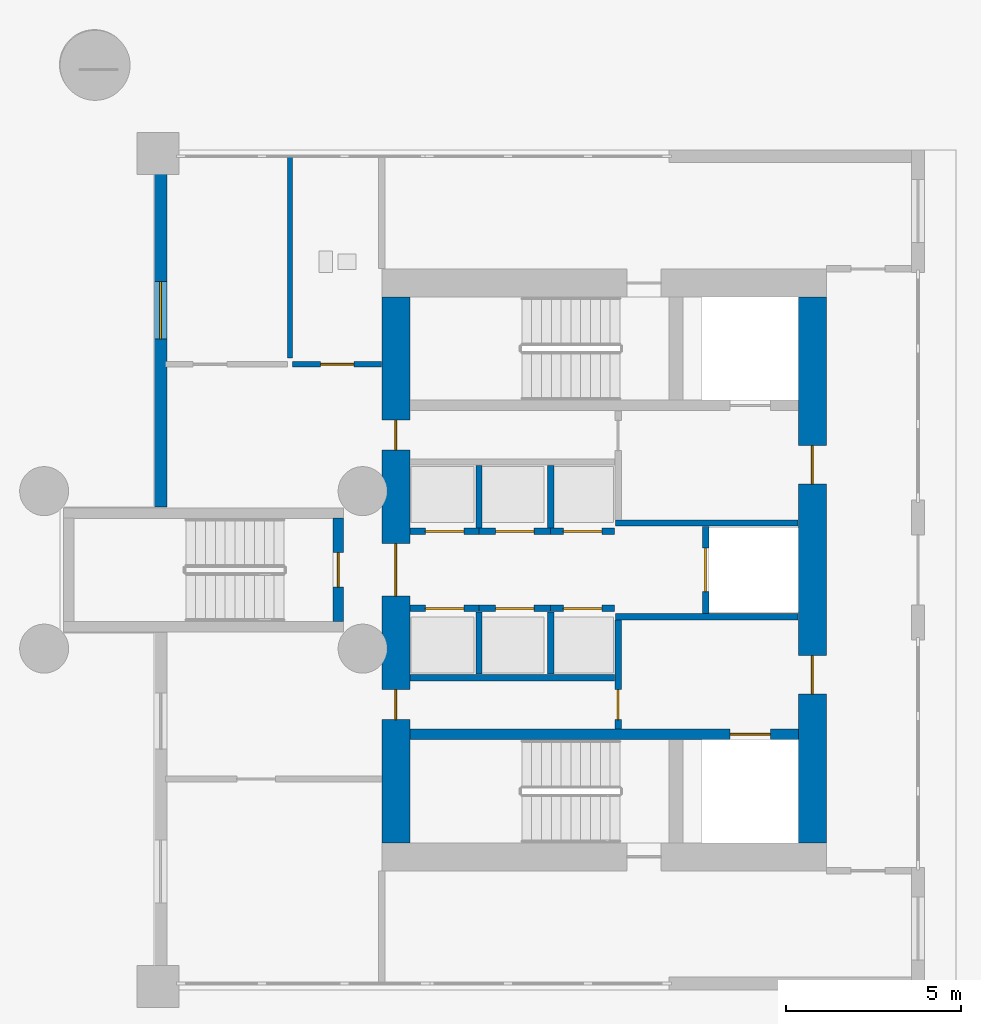
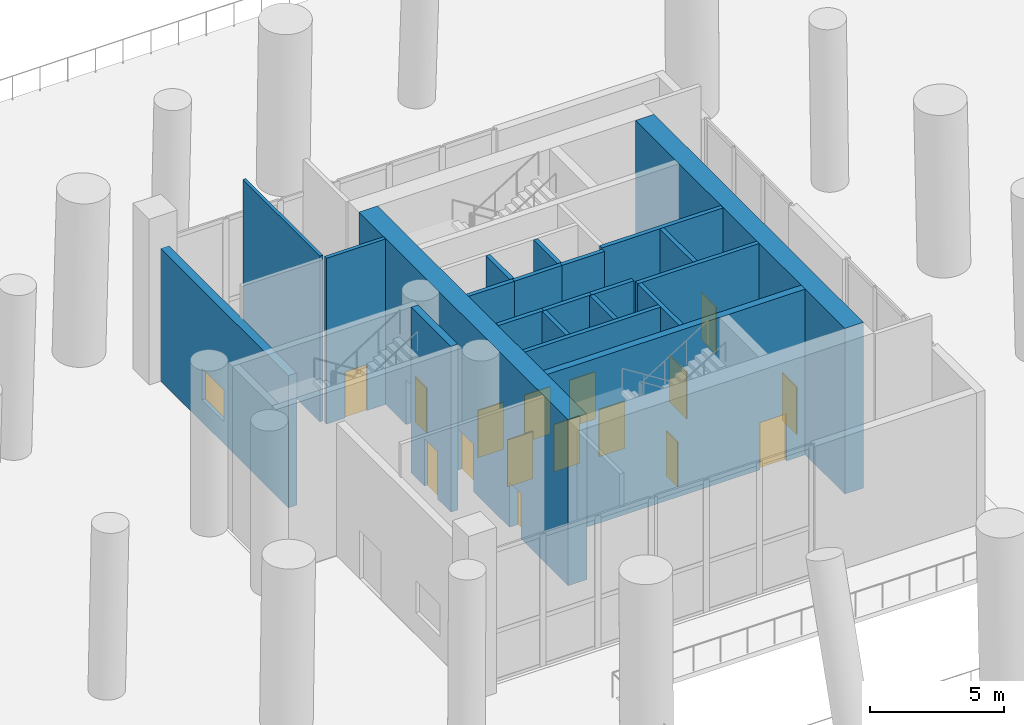
# One storey, part 8 of 16: 22 walls, 16 doors, 1 window, 17 openings.
"""IFC4 building model written with IfcOpenShell, lengths in metres."""

from ifc_helpers import new_model, si_unit, direction, frame, frame_2d, origin, place, context, subcontext, project, spatial, rectangle, extrude, source, transform, mapped, material, layer, layer_set, type_object, element, fill, save


model = new_model("IFC4")

# Units and contexts
model_context = context("Model", 3, precision=1e-05, world=origin(), true_north=direction((0.0, 1.0)))
body_context = subcontext(model_context, "Body", "Model", "MODEL_VIEW")
ifc_project = project(units=[si_unit("LENGTHUNIT", "METRE"), si_unit("AREAUNIT", "SQUARE_METRE"), si_unit("VOLUMEUNIT", "CUBIC_METRE"), si_unit("PLANEANGLEUNIT", "RADIAN"), si_unit("MASSUNIT", "GRAM", prefix="KILO")], contexts=[model_context])

# Site, building, storey
site_placement = place(None, origin())
site = spatial("IfcSite", under=ifc_project, at=site_placement, CompositionType="ELEMENT")
building_placement = place(site_placement, origin())
building = spatial("IfcBuilding", under=site, at=building_placement, Name="Qafzar Sky-Pleat Residences", CompositionType="ELEMENT")
storey_placement = place(building_placement, origin())
storey = spatial("IfcBuildingStorey", under=building, at=storey_placement, Name="L00", CompositionType="ELEMENT", Elevation=0.0)

# Wall, opening, door
ifc_material_1 = material(Name="Acoustic gypsum plasterboard partition", Category="gypsum")
ifc_layer_1 = layer(ifc_material_1, 0.159912109375)
ifc_layer_set_1 = layer_set([ifc_layer_1], Name="Acoustic gypsum plasterboard partition")
wall_type_1 = type_object("IfcWallType", Name="PART-COR-160", PredefinedType="PARTITIONING", material=ifc_layer_set_1)
wall_1_placement = place(storey_placement, frame((21.449951171875, 31.875, 0.0), z_axis=(0.0, 0.0, 1.0), x_axis=(1.0, 0.0, 0.0)))
wall_1 = element("IfcWall", 1, at=wall_1_placement, inside=storey, type_object=wall_type_1, Name="L00 Partition Wall PART-L00-PW-007", PredefinedType="PARTITIONING", context=body_context, shape_type="SweptSolid", body=[
    extrude(rectangle(XDim=2.5419921875, YDim=0.159912109375, at=frame_2d((1.27099609375, 0.0))), origin(), (0.0, 0.0, 1.0), 7.5400390625),
])
opening_1_placement = place(wall_1_placement, frame((0.800048828125, 0.0, 0.0)))
opening_1 = element("IfcOpeningElement", 2, at=opening_1_placement, cuts=wall_1, Name="Opening ID-08", PredefinedType="OPENING", context=body_context, shape_type="SweptSolid", body=[
    extrude(rectangle(XDim=0.949951171875, YDim=2.10009765625, at=frame_2d((0.47509765625, 1.050048828125))), frame((0.0, 0.08984375, 0.0), z_axis=(0.0, -1.0, 0.0), x_axis=(1.0, 0.0, 0.0)), (0.0, 0.0, 1.0), 0.179931640625),
])
ifc_material_2 = material(Name="Timber-faced fire door", Category="wood")
door_type_1 = type_object("IfcDoorType", Name="DR-AWC-950", OperationType="NOTDEFINED", PredefinedType="DOOR", material=ifc_material_2)
shared_shape_1 = source(origin(), body_context, "Body", "SweptSolid", [
    extrude(rectangle(XDim=0.949951171875, YDim=2.10009765625, at=frame_2d((0.47509765625, 1.050048828125))), frame((0.0, 0.02490234375, 0.0), z_axis=(0.0, -1.0, 0.0), x_axis=(1.0, 0.0, 0.0)), (0.0, 0.0, 1.0), 0.050048828125),
])
door_1_placement = place(opening_1_placement, origin())
door_1 = element("IfcDoor", 3, at=door_1_placement, inside=storey, type_object=door_type_1, Name="L00 Ground Accessible WC Door", OperationType="SINGLE_SWING_LEFT", OverallHeight=2.10009765625, OverallWidth=0.949951171875, PredefinedType="DOOR", context=body_context, shape_type="MappedRepresentation", body=[
    mapped(shared_shape_1, transform((0.0, 0.0, 0.0), x_axis=(1.0, 0.0, 0.0), y_axis=(0.0, 1.0, 0.0), z_axis=(0.0, 0.0, 1.0), scale=1.0)),
])
fill(opening_1, door_1)

ifc_material_3 = material(Name="Concrete blockwork partition", Category="masonry")
ifc_layer_2 = layer(ifc_material_3, 0.179931640625)
ifc_layer_set_2 = layer_set([ifc_layer_2], Name="Concrete blockwork partition")
wall_type_2 = type_object("IfcWallType", Name="PART-SHAFT-180", PredefinedType="PARTITIONING", material=ifc_layer_set_2)
wall_2_placement = place(storey_placement, frame((30.75, 21.4599609375, 0.0), z_axis=(0.0, 0.0, 1.0), x_axis=(0.0, 1.0, 0.0)))
wall_2 = element("IfcWall", 4, at=wall_2_placement, inside=storey, type_object=wall_type_2, Name="L00 Partition Wall PART-L00-FFL1-W", PredefinedType="PARTITIONING", context=body_context, shape_type="SweptSolid", body=[
    extrude(rectangle(XDim=3.110107421875, YDim=0.179931640625, at=frame_2d((1.55517578125, 0.0))), origin(), (0.0, 0.0, 1.0), 7.5400390625),
])
opening_2_placement = place(wall_2_placement, frame((0.260009765625, 0.0, 0.0)))
opening_2 = element("IfcOpeningElement", 5, at=opening_2_placement, cuts=wall_2, Name="Opening ID-09", PredefinedType="OPENING", context=body_context, shape_type="SweptSolid", body=[
    extrude(rectangle(XDim=0.860107421875, YDim=2.050048828125, at=frame_2d((0.43017578125, 1.02490234375))), frame((0.0, 0.10009765625, 0.0), z_axis=(0.0, -1.0, 0.0), x_axis=(1.0, 0.0, 0.0)), (0.0, 0.0, 1.0), 0.199951171875),
])
door_type_2 = type_object("IfcDoorType", Name="DR-SVC-860", OperationType="NOTDEFINED", PredefinedType="DOOR", material=ifc_material_2)
shared_shape_2 = source(origin(), body_context, "Body", "SweptSolid", [
    extrude(rectangle(XDim=0.860107421875, YDim=2.050048828125, at=frame_2d((0.43017578125, 1.02490234375))), frame((0.0, 0.02490234375, 0.0), z_axis=(0.0, -1.0, 0.0), x_axis=(1.0, 0.0, 0.0)), (0.0, 0.0, 1.0), 0.050048828125),
])
door_2_placement = place(opening_2_placement, origin())
door_2 = element("IfcDoor", 6, at=door_2_placement, inside=storey, type_object=door_type_2, Name="L00 South Core Cupboard Door", OperationType="SINGLE_SWING_LEFT", OverallHeight=2.050048828125, OverallWidth=0.860107421875, PredefinedType="DOOR", context=body_context, shape_type="MappedRepresentation", body=[
    mapped(shared_shape_2, transform((0.0, 0.0, 0.0), x_axis=(1.0, 0.0, 0.0), y_axis=(0.0, 1.0, 0.0), z_axis=(0.0, 0.0, 1.0), scale=1.0)),
])
fill(opening_2, door_2)

# Walls
for number, where, z_axis, x_axis, name in (
    (7, (30.669921875, 24.659912109375, 0.0), (0.0, 0.0, 1.0), (1.0, 0.0, 0.0), "L00 Partition Wall PART-L00-FFL1-N"),
    (8, (30.669921875, 27.340087890625, 0.0), (0.0, 0.0, 1.0), (1.0, 0.0, 0.0), "L00 Partition Wall PART-L00-FFL2-S"),
):
    element("IfcWall", number, at=place(storey_placement, frame(where, z_axis=z_axis, x_axis=x_axis)), inside=storey, type_object=wall_type_2, Name=name, PredefinedType="PARTITIONING", context=body_context, shape_type="SweptSolid", body=[
        extrude(rectangle(XDim=5.219970703125, YDim=0.179931640625, at=frame_2d((2.60986328125, 0.0))), origin(), (0.0, 0.0, 1.0), 7.5400390625),
    ])

# Wall, opening, door
wall_3_placement = place(storey_placement, frame((33.25, 24.760009765625, 0.0), z_axis=(0.0, 0.0, 1.0), x_axis=(0.0, 1.0, 0.0)))
wall_3 = element("IfcWall", 9, at=wall_3_placement, inside=storey, type_object=wall_type_2, Name="L00 Partition Wall PART-L00-SV1-W", PredefinedType="PARTITIONING", context=body_context, shape_type="SweptSolid", body=[
    extrude(rectangle(XDim=2.47998046875, YDim=0.179931640625, at=frame_2d((1.239990234375, 0.0))), origin(), (0.0, 0.0, 1.0), 7.5400390625),
])
opening_3_placement = place(wall_3_placement, frame((0.614990234375, 0.0, 0.0)))
opening_3 = element("IfcOpeningElement", 10, at=opening_3_placement, cuts=wall_3, Name="Opening LD-03", PredefinedType="OPENING", context=body_context, shape_type="SweptSolid", body=[
    extrude(rectangle(XDim=1.25, YDim=2.14990234375, at=frame_2d((0.625, 1.074951171875))), frame((0.0, 0.10009765625, 0.0), z_axis=(0.0, -1.0, 0.0), x_axis=(1.0, 0.0, 0.0)), (0.0, 0.0, 1.0), 0.199951171875),
])
ifc_material_4 = material(Name="Stainless steel sliding landing door", Category="steel")
door_type_3 = type_object("IfcDoorType", Name="DR-LIFT-SV", OperationType="DOUBLE_DOOR_SLIDING", PredefinedType="DOOR", material=ifc_material_4)
shared_shape_3 = source(origin(), body_context, "Body", "SweptSolid", [
    extrude(rectangle(XDim=1.25, YDim=2.14990234375, at=frame_2d((0.625, 1.074951171875))), frame((0.0, 0.02490234375, 0.0), z_axis=(0.0, -1.0, 0.0), x_axis=(1.0, 0.0, 0.0)), (0.0, 0.0, 1.0), 0.050048828125),
])
door_3_placement = place(opening_3_placement, origin())
door_3 = element("IfcDoor", 11, at=door_3_placement, inside=storey, type_object=door_type_3, Name="L00 Service Lift SV1 Landing Door", OperationType="DOUBLE_DOOR_SLIDING", OverallHeight=2.14990234375, OverallWidth=1.25, PredefinedType="DOOR", context=body_context, shape_type="MappedRepresentation", body=[
    mapped(shared_shape_3, transform((0.0, 0.0, 0.0), x_axis=(1.0, 0.0, 0.0), y_axis=(0.0, 1.0, 0.0), z_axis=(0.0, 0.0, 1.0), scale=1.0)),
])
fill(opening_3, door_3)

# Wall
wall_4_placement = place(storey_placement, frame((24.81005859375, 22.919921875, 0.0), z_axis=(0.0, 0.0, 1.0), x_axis=(1.0, 0.0, 0.0)))
element("IfcWall", 12, at=wall_4_placement, inside=storey, type_object=wall_type_2, Name="L00 Partition Wall PART-L00-P13-S", PredefinedType="PARTITIONING", context=body_context, shape_type="SweptSolid", body=[
    extrude(rectangle(XDim=5.83984375, YDim=0.179931640625, at=frame_2d((2.919921875, 0.0))), origin(), (0.0, 0.0, 1.0), 7.5400390625),
])

# Wall, opening, door
wall_5_placement = place(storey_placement, frame((24.81005859375, 24.89990234375, 0.0), z_axis=(0.0, 0.0, 1.0), x_axis=(1.0, 0.0, 0.0)))
wall_5 = element("IfcWall", 13, at=wall_5_placement, inside=storey, type_object=wall_type_2, Name="L00 Partition Wall PART-L00-P1-N", PredefinedType="PARTITIONING", context=body_context, shape_type="SweptSolid", body=[
    extrude(rectangle(XDim=1.96484375, YDim=0.179931640625, at=frame_2d((0.982421875, 0.0))), origin(), (0.0, 0.0, 1.0), 7.5400390625),
])
opening_4_placement = place(wall_5_placement, frame((0.4326171875, 0.0, 0.0)))
opening_4 = element("IfcOpeningElement", 14, at=opening_4_placement, cuts=wall_5, Name="Opening LD-01", PredefinedType="OPENING", context=body_context, shape_type="SweptSolid", body=[
    extrude(rectangle(XDim=1.10009765625, YDim=2.14990234375, at=frame_2d((0.550048828125, 1.074951171875))), frame((0.0, 0.10009765625, 0.0), z_axis=(0.0, -1.0, 0.0), x_axis=(1.0, 0.0, 0.0)), (0.0, 0.0, 1.0), 0.199951171875),
])
door_type_4 = type_object("IfcDoorType", Name="DR-LIFT-P", OperationType="DOUBLE_DOOR_SLIDING", PredefinedType="DOOR", material=ifc_material_4)
shared_shape_4 = source(origin(), body_context, "Body", "SweptSolid", [
    extrude(rectangle(XDim=1.10009765625, YDim=2.14990234375, at=frame_2d((0.550048828125, 1.074951171875))), frame((0.0, 0.02490234375, 0.0), z_axis=(0.0, -1.0, 0.0), x_axis=(1.0, 0.0, 0.0)), (0.0, 0.0, 1.0), 0.050048828125),
])
door_4_placement = place(opening_4_placement, origin())
door_4 = element("IfcDoor", 15, at=door_4_placement, inside=storey, type_object=door_type_4, Name="L00 Passenger Lift P1 Landing Door", OperationType="DOUBLE_DOOR_SLIDING", OverallHeight=2.14990234375, OverallWidth=1.10009765625, PredefinedType="DOOR", context=body_context, shape_type="MappedRepresentation", body=[
    mapped(shared_shape_4, transform((0.0, 0.0, 0.0), x_axis=(1.0, 0.0, 0.0), y_axis=(0.0, 1.0, 0.0), z_axis=(0.0, 0.0, 1.0), scale=1.0)),
])
fill(opening_4, door_4)

wall_6_placement = place(storey_placement, frame((26.77490234375, 24.89990234375, 0.0), z_axis=(0.0, 0.0, 1.0), x_axis=(1.0, 0.0, 0.0)))
wall_6 = element("IfcWall", 16, at=wall_6_placement, inside=storey, type_object=wall_type_2, Name="L00 Partition Wall PART-L00-P2-N", PredefinedType="PARTITIONING", context=body_context, shape_type="SweptSolid", body=[
    extrude(rectangle(XDim=2.050048828125, YDim=0.179931640625, at=frame_2d((1.02490234375, 0.0))), origin(), (0.0, 0.0, 1.0), 7.5400390625),
])
opening_5_placement = place(wall_6_placement, frame((0.47509765625, 0.0, 0.0)))
opening_5 = element("IfcOpeningElement", 17, at=opening_5_placement, cuts=wall_6, Name="Opening LD-01", PredefinedType="OPENING", context=body_context, shape_type="SweptSolid", body=[
    extrude(rectangle(XDim=1.10009765625, YDim=2.14990234375, at=frame_2d((0.550048828125, 1.074951171875))), frame((0.0, 0.10009765625, 0.0), z_axis=(0.0, -1.0, 0.0), x_axis=(1.0, 0.0, 0.0)), (0.0, 0.0, 1.0), 0.199951171875),
])
door_5_placement = place(opening_5_placement, origin())
door_5 = element("IfcDoor", 18, at=door_5_placement, inside=storey, type_object=door_type_4, Name="L00 Passenger Lift P2 Landing Door", OperationType="DOUBLE_DOOR_SLIDING", OverallHeight=2.14990234375, OverallWidth=1.10009765625, PredefinedType="DOOR", context=body_context, shape_type="MappedRepresentation", body=[
    mapped(shared_shape_4, transform((0.0, 0.0, 0.0), x_axis=(1.0, 0.0, 0.0), y_axis=(0.0, 1.0, 0.0), z_axis=(0.0, 0.0, 1.0), scale=1.0)),
])
fill(opening_5, door_5)

# Wall
wall_7_placement = place(storey_placement, frame((26.77490234375, 23.02001953125, 0.0), z_axis=(0.0, 0.0, 1.0), x_axis=(0.0, 1.0, 0.0)))
element("IfcWall", 19, at=wall_7_placement, inside=storey, type_object=wall_type_2, Name="L00 Partition Wall PART-L00-P13-DIV-1", PredefinedType="PARTITIONING", context=body_context, shape_type="SweptSolid", body=[
    extrude(rectangle(XDim=1.780029296875, YDim=0.179931640625, at=frame_2d((0.89013671875, 0.0))), origin(), (0.0, 0.0, 1.0), 7.5400390625),
])

# Wall, opening, door
wall_8_placement = place(storey_placement, frame((28.824951171875, 24.89990234375, 0.0), z_axis=(0.0, 0.0, 1.0), x_axis=(1.0, 0.0, 0.0)))
wall_8 = element("IfcWall", 20, at=wall_8_placement, inside=storey, type_object=wall_type_2, Name="L00 Partition Wall PART-L00-P3-N", PredefinedType="PARTITIONING", context=body_context, shape_type="SweptSolid", body=[
    extrude(rectangle(XDim=1.824951171875, YDim=0.179931640625, at=frame_2d((0.91259765625, 0.0))), origin(), (0.0, 0.0, 1.0), 7.5400390625),
])
opening_6_placement = place(wall_8_placement, frame((0.362548828125, 0.0, 0.0)))
opening_6 = element("IfcOpeningElement", 21, at=opening_6_placement, cuts=wall_8, Name="Opening LD-01", PredefinedType="OPENING", context=body_context, shape_type="SweptSolid", body=[
    extrude(rectangle(XDim=1.10009765625, YDim=2.14990234375, at=frame_2d((0.550048828125, 1.074951171875))), frame((0.0, 0.10009765625, 0.0), z_axis=(0.0, -1.0, 0.0), x_axis=(1.0, 0.0, 0.0)), (0.0, 0.0, 1.0), 0.199951171875),
])
door_6_placement = place(opening_6_placement, origin())
door_6 = element("IfcDoor", 22, at=door_6_placement, inside=storey, type_object=door_type_4, Name="L00 Passenger Lift P3 Landing Door", OperationType="DOUBLE_DOOR_SLIDING", OverallHeight=2.14990234375, OverallWidth=1.10009765625, PredefinedType="DOOR", context=body_context, shape_type="MappedRepresentation", body=[
    mapped(shared_shape_4, transform((0.0, 0.0, 0.0), x_axis=(1.0, 0.0, 0.0), y_axis=(0.0, 1.0, 0.0), z_axis=(0.0, 0.0, 1.0), scale=1.0)),
])
fill(opening_6, door_6)

# Wall
wall_9_placement = place(storey_placement, frame((28.824951171875, 23.02001953125, 0.0), z_axis=(0.0, 0.0, 1.0), x_axis=(0.0, 1.0, 0.0)))
element("IfcWall", 23, at=wall_9_placement, inside=storey, type_object=wall_type_2, Name="L00 Partition Wall PART-L00-P13-DIV-2", PredefinedType="PARTITIONING", context=body_context, shape_type="SweptSolid", body=[
    extrude(rectangle(XDim=1.780029296875, YDim=0.179931640625, at=frame_2d((0.89013671875, 0.0))), origin(), (0.0, 0.0, 1.0), 7.5400390625),
])

# Wall, opening, door
wall_10_placement = place(storey_placement, frame((24.81005859375, 27.10009765625, 0.0), z_axis=(0.0, 0.0, 1.0), x_axis=(1.0, 0.0, 0.0)))
wall_10 = element("IfcWall", 24, at=wall_10_placement, inside=storey, type_object=wall_type_2, Name="L00 Partition Wall PART-L00-P4-S", PredefinedType="PARTITIONING", context=body_context, shape_type="SweptSolid", body=[
    extrude(rectangle(XDim=1.96484375, YDim=0.179931640625, at=frame_2d((0.982421875, 0.0))), origin(), (0.0, 0.0, 1.0), 7.5400390625),
])
opening_7_placement = place(wall_10_placement, frame((0.4326171875, 0.0, 0.0)))
opening_7 = element("IfcOpeningElement", 25, at=opening_7_placement, cuts=wall_10, Name="Opening LD-01", PredefinedType="OPENING", context=body_context, shape_type="SweptSolid", body=[
    extrude(rectangle(XDim=1.10009765625, YDim=2.14990234375, at=frame_2d((0.550048828125, 1.074951171875))), frame((0.0, 0.10009765625, 0.0), z_axis=(0.0, -1.0, 0.0), x_axis=(1.0, 0.0, 0.0)), (0.0, 0.0, 1.0), 0.199951171875),
])
door_7_placement = place(opening_7_placement, origin())
door_7 = element("IfcDoor", 26, at=door_7_placement, inside=storey, type_object=door_type_4, Name="L00 Passenger Lift P4 Landing Door", OperationType="DOUBLE_DOOR_SLIDING", OverallHeight=2.14990234375, OverallWidth=1.10009765625, PredefinedType="DOOR", context=body_context, shape_type="MappedRepresentation", body=[
    mapped(shared_shape_4, transform((0.0, 0.0, 0.0), x_axis=(1.0, 0.0, 0.0), y_axis=(0.0, 1.0, 0.0), z_axis=(0.0, 0.0, 1.0), scale=1.0)),
])
fill(opening_7, door_7)

wall_11_placement = place(storey_placement, frame((26.77490234375, 27.10009765625, 0.0), z_axis=(0.0, 0.0, 1.0), x_axis=(1.0, 0.0, 0.0)))
wall_11 = element("IfcWall", 27, at=wall_11_placement, inside=storey, type_object=wall_type_2, Name="L00 Partition Wall PART-L00-P5-S", PredefinedType="PARTITIONING", context=body_context, shape_type="SweptSolid", body=[
    extrude(rectangle(XDim=2.050048828125, YDim=0.179931640625, at=frame_2d((1.02490234375, 0.0))), origin(), (0.0, 0.0, 1.0), 7.5400390625),
])
opening_8_placement = place(wall_11_placement, frame((0.47509765625, 0.0, 0.0)))
opening_8 = element("IfcOpeningElement", 28, at=opening_8_placement, cuts=wall_11, Name="Opening LD-01", PredefinedType="OPENING", context=body_context, shape_type="SweptSolid", body=[
    extrude(rectangle(XDim=1.10009765625, YDim=2.14990234375, at=frame_2d((0.550048828125, 1.074951171875))), frame((0.0, 0.10009765625, 0.0), z_axis=(0.0, -1.0, 0.0), x_axis=(1.0, 0.0, 0.0)), (0.0, 0.0, 1.0), 0.199951171875),
])
door_8_placement = place(opening_8_placement, origin())
door_8 = element("IfcDoor", 29, at=door_8_placement, inside=storey, type_object=door_type_4, Name="L00 Passenger Lift P5 Landing Door", OperationType="DOUBLE_DOOR_SLIDING", OverallHeight=2.14990234375, OverallWidth=1.10009765625, PredefinedType="DOOR", context=body_context, shape_type="MappedRepresentation", body=[
    mapped(shared_shape_4, transform((0.0, 0.0, 0.0), x_axis=(1.0, 0.0, 0.0), y_axis=(0.0, 1.0, 0.0), z_axis=(0.0, 0.0, 1.0), scale=1.0)),
])
fill(opening_8, door_8)

# Wall
wall_12_placement = place(storey_placement, frame((26.77490234375, 27.199951171875, 0.0), z_axis=(0.0, 0.0, 1.0), x_axis=(0.0, 1.0, 0.0)))
element("IfcWall", 30, at=wall_12_placement, inside=storey, type_object=wall_type_2, Name="L00 Partition Wall PART-L00-P46-DIV-1", PredefinedType="PARTITIONING", context=body_context, shape_type="SweptSolid", body=[
    extrude(rectangle(XDim=1.780029296875, YDim=0.179931640625, at=frame_2d((0.89013671875, 0.0))), origin(), (0.0, 0.0, 1.0), 7.5400390625),
])

# Wall, opening, door
wall_13_placement = place(storey_placement, frame((28.824951171875, 27.10009765625, 0.0), z_axis=(0.0, 0.0, 1.0), x_axis=(1.0, 0.0, 0.0)))
wall_13 = element("IfcWall", 31, at=wall_13_placement, inside=storey, type_object=wall_type_2, Name="L00 Partition Wall PART-L00-P6-S", PredefinedType="PARTITIONING", context=body_context, shape_type="SweptSolid", body=[
    extrude(rectangle(XDim=1.824951171875, YDim=0.179931640625, at=frame_2d((0.91259765625, 0.0))), origin(), (0.0, 0.0, 1.0), 7.5400390625),
])
opening_9_placement = place(wall_13_placement, frame((0.362548828125, 0.0, 0.0)))
opening_9 = element("IfcOpeningElement", 32, at=opening_9_placement, cuts=wall_13, Name="Opening LD-01", PredefinedType="OPENING", context=body_context, shape_type="SweptSolid", body=[
    extrude(rectangle(XDim=1.10009765625, YDim=2.14990234375, at=frame_2d((0.550048828125, 1.074951171875))), frame((0.0, 0.10009765625, 0.0), z_axis=(0.0, -1.0, 0.0), x_axis=(1.0, 0.0, 0.0)), (0.0, 0.0, 1.0), 0.199951171875),
])
door_9_placement = place(opening_9_placement, origin())
door_9 = element("IfcDoor", 33, at=door_9_placement, inside=storey, type_object=door_type_4, Name="L00 Passenger Lift P6 Landing Door", OperationType="DOUBLE_DOOR_SLIDING", OverallHeight=2.14990234375, OverallWidth=1.10009765625, PredefinedType="DOOR", context=body_context, shape_type="MappedRepresentation", body=[
    mapped(shared_shape_4, transform((0.0, 0.0, 0.0), x_axis=(1.0, 0.0, 0.0), y_axis=(0.0, 1.0, 0.0), z_axis=(0.0, 0.0, 1.0), scale=1.0)),
])
fill(opening_9, door_9)

# Walls
wall_14_placement = place(storey_placement, frame((28.824951171875, 27.199951171875, 0.0), z_axis=(0.0, 0.0, 1.0), x_axis=(0.0, 1.0, 0.0)))
element("IfcWall", 34, at=wall_14_placement, inside=storey, type_object=wall_type_2, Name="L00 Partition Wall PART-L00-P46-DIV-2", PredefinedType="PARTITIONING", context=body_context, shape_type="SweptSolid", body=[
    extrude(rectangle(XDim=1.780029296875, YDim=0.179931640625, at=frame_2d((0.89013671875, 0.0))), origin(), (0.0, 0.0, 1.0), 7.5400390625),
])
ifc_material_5 = material(Name="Moisture-resistant gypsum partition", Category="gypsum")
ifc_layer_3 = layer(ifc_material_5, 0.1298828125)
ifc_layer_set_3 = layer_set([ifc_layer_3], Name="Moisture-resistant gypsum partition")
wall_type_3 = type_object("IfcWallType", Name="PART-WET-130", PredefinedType="PARTITIONING", material=ifc_layer_set_3)
wall_15_placement = place(storey_placement, frame((21.375, 32.048095703125, 0.0), z_axis=(0.0, 0.0, 1.0), x_axis=(0.0, 1.0, 0.0)))
element("IfcWall", 35, at=wall_15_placement, inside=storey, type_object=wall_type_3, Name="L00 Partition Wall PART-L00-PW-008", PredefinedType="PARTITIONING", context=body_context, shape_type="SweptSolid", body=[
    extrude(rectangle(XDim=5.744873046875, YDim=0.1298828125, at=frame_2d((2.87255859375, 0.0))), origin(), (0.0, 0.0, 1.0), 7.5400390625),
])

# Wall, opening, window
ifc_material_6 = material(Name="Precast concrete C40/50 with honed Riyadh limestone", Category="concrete")
ifc_layer_4 = layer(ifc_material_6, 0.35009765625)
ifc_layer_set_4 = layer_set([ifc_layer_4], Name="Precast concrete C40/50 with honed Riyadh limestone")
wall_type_4 = type_object("IfcWallType", Name="WALL-EXT-350", PredefinedType="SOLIDWALL", material=ifc_layer_set_4)
wall_16_placement = place(storey_placement, frame((17.679931640625, 27.7900390625, 0.0), z_axis=(0.0, 0.0, 1.0), x_axis=(0.0, 1.0, 0.0)))
wall_16 = element("IfcWall", 36, at=wall_16_placement, inside=storey, type_object=wall_type_4, Name="L00 North-West Concierge Exterior Wall", PredefinedType="SOLIDWALL", context=body_context, shape_type="SweptSolid", body=[
    extrude(rectangle(XDim=9.530029296875, YDim=0.360107421875, at=frame_2d((4.76513671875, 0.0))), origin(), (0.0, 0.0, 1.0), 6.02001953125),
])
opening_10_placement = place(wall_16_placement, frame((4.800048828125, 0.0, 1.0)))
opening_10 = element("IfcOpeningElement", 37, at=opening_10_placement, cuts=wall_16, Name="Opening WN-02", PredefinedType="OPENING", context=body_context, shape_type="SweptSolid", body=[
    extrude(rectangle(XDim=1.64990234375, YDim=1.449951171875, at=frame_2d((0.824951171875, 0.72509765625))), frame((0.0, 0.18994140625, 0.0), z_axis=(0.0, -1.0, 0.0), x_axis=(1.0, 0.0, 0.0)), (0.0, 0.0, 1.0), 0.380126953125),
])
ifc_material_7 = material(Name="Solar-control low-E glass in bronze aluminium frame", Category="glass")
window_type = type_object("IfcWindowType", Name="WIN-02", PartitioningType="DOUBLE_PANEL_VERTICAL", PredefinedType="WINDOW", material=ifc_material_7)
shared_shape_5 = source(origin(), body_context, "Body", "SweptSolid", [
    extrude(rectangle(XDim=1.64990234375, YDim=1.449951171875, at=frame_2d((0.824951171875, 0.72509765625))), frame((0.0, 0.030029296875, 0.0), z_axis=(0.0, -1.0, 0.0), x_axis=(1.0, 0.0, 0.0)), (0.0, 0.0, 1.0), 0.06005859375),
])
window_placement = place(opening_10_placement, origin())
window = element("IfcWindow", 38, at=window_placement, inside=storey, type_object=window_type, Name="L00 Concierge Window", OverallHeight=1.449951171875, OverallWidth=1.64990234375, PartitioningType="SINGLE_PANEL", PredefinedType="WINDOW", context=body_context, shape_type="MappedRepresentation", body=[
    mapped(shared_shape_5, transform((0.0, 0.0, 0.0), x_axis=(1.0, 0.0, 0.0), y_axis=(0.0, 1.0, 0.0), z_axis=(0.0, 0.0, 1.0), scale=1.0)),
])
fill(opening_10, window)

# Wall, opening, door
ifc_material_8 = material(Name="Concrete C60/75", Category="concrete")
ifc_layer_5 = layer(ifc_material_8, 0.300048828125)
ifc_layer_set_5 = layer_set([ifc_layer_5], Name="Concrete C60/75")
wall_type_5 = type_object("IfcWallType", Name="WALL-SHEAR-300", PredefinedType="SHEAR", material=ifc_layer_set_5)
wall_17_placement = place(storey_placement, frame((24.800048828125, 21.300048828125, 0.0), z_axis=(0.0, 0.0, 1.0), x_axis=(1.0, 0.0, 0.0)))
wall_17 = element("IfcWall", 39, at=wall_17_placement, inside=storey, type_object=wall_type_5, Name="L00 Stair ST1 and FF1 Shaft North Wall", PredefinedType="SHEAR", context=body_context, shape_type="SweptSolid", body=[
    extrude(rectangle(XDim=11.099853515625, YDim=0.300048828125, at=frame_2d((5.5498046875, 0.0))), origin(), (0.0, 0.0, 1.0), 7.5400390625),
])
opening_11_placement = place(wall_17_placement, frame((9.14990234375, 0.0, 0.0)))
opening_11 = element("IfcOpeningElement", 40, at=opening_11_placement, cuts=wall_17, Name="Opening LD-02", PredefinedType="OPENING", context=body_context, shape_type="SweptSolid", body=[
    extrude(rectangle(XDim=1.14990234375, YDim=2.14990234375, at=frame_2d((0.574951171875, 1.074951171875))), frame((0.0, 0.16015625, 0.0), z_axis=(0.0, -1.0, 0.0), x_axis=(1.0, 0.0, 0.0)), (0.0, 0.0, 1.0), 0.320068359375),
])
door_type_5 = type_object("IfcDoorType", Name="DR-LIFT-FF", OperationType="DOUBLE_DOOR_SLIDING", PredefinedType="DOOR", material=ifc_material_4)
shared_shape_6 = source(origin(), body_context, "Body", "SweptSolid", [
    extrude(rectangle(XDim=1.14990234375, YDim=2.14990234375, at=frame_2d((0.574951171875, 1.074951171875))), frame((0.0, 0.02490234375, 0.0), z_axis=(0.0, -1.0, 0.0), x_axis=(1.0, 0.0, 0.0)), (0.0, 0.0, 1.0), 0.050048828125),
])
door_10_placement = place(opening_11_placement, origin())
door_10 = element("IfcDoor", 41, at=door_10_placement, inside=storey, type_object=door_type_5, Name="L00 Firefighting Lift FF1 Landing Door", OperationType="DOUBLE_DOOR_SLIDING", OverallHeight=2.14990234375, OverallWidth=1.14990234375, PredefinedType="DOOR", context=body_context, shape_type="MappedRepresentation", body=[
    mapped(shared_shape_6, transform((0.0, 0.0, 0.0), x_axis=(1.0, 0.0, 0.0), y_axis=(0.0, 1.0, 0.0), z_axis=(0.0, 0.0, 1.0), scale=1.0)),
])
fill(opening_11, door_10)

wall_18_placement = place(storey_placement, frame((22.75, 24.52490234375, 0.0), z_axis=(0.0, 0.0, 1.0), x_axis=(0.0, 1.0, 0.0)))
wall_18 = element("IfcWall", 42, at=wall_18_placement, inside=storey, type_object=wall_type_5, Name="L00 ST3 wall E", PredefinedType="SHEAR", context=body_context, shape_type="SweptSolid", body=[
    extrude(rectangle(XDim=2.9501953125, YDim=0.300048828125, at=frame_2d((1.47509765625, 0.0))), origin(), (0.0, 0.0, 1.0), 7.5400390625),
])
opening_12_placement = place(wall_18_placement, frame((0.985107421875, 0.0, 0.0)))
opening_12 = element("IfcOpeningElement", 43, at=opening_12_placement, cuts=wall_18, Name="Opening ID-01", PredefinedType="OPENING", context=body_context, shape_type="SweptSolid", body=[
    extrude(rectangle(XDim=0.97998046875, YDim=2.14990234375, at=frame_2d((0.489990234375, 1.074951171875))), frame((0.0, 0.16015625, 0.0), z_axis=(0.0, -1.0, 0.0), x_axis=(1.0, 0.0, 0.0)), (0.0, 0.0, 1.0), 0.320068359375),
])
door_type_6 = type_object("IfcDoorType", Name="DR-STAIR-980", OperationType="NOTDEFINED", PredefinedType="DOOR", material=ifc_material_2)
shared_shape_7 = source(origin(), body_context, "Body", "SweptSolid", [
    extrude(rectangle(XDim=0.97998046875, YDim=2.14990234375, at=frame_2d((0.489990234375, 1.074951171875))), frame((0.0, 0.02490234375, 0.0), z_axis=(0.0, -1.0, 0.0), x_axis=(1.0, 0.0, 0.0)), (0.0, 0.0, 1.0), 0.050048828125),
])
door_11_placement = place(opening_12_placement, origin())
door_11 = element("IfcDoor", 44, at=door_11_placement, inside=storey, type_object=door_type_6, Name="L00 Stair ST3 Fire Door", OperationType="SINGLE_SWING_RIGHT", OverallHeight=2.14990234375, OverallWidth=0.97998046875, PredefinedType="DOOR", context=body_context, shape_type="MappedRepresentation", body=[
    mapped(shared_shape_7, transform((0.0, 0.0, 0.0), x_axis=(1.0, 0.0, 0.0), y_axis=(0.0, 1.0, 0.0), z_axis=(0.0, 0.0, 1.0), scale=1.0)),
])
fill(opening_12, door_11)

# Wall, openings, doors
ifc_layer_6 = layer(ifc_material_8, 0.800048828125)
ifc_layer_set_6 = layer_set([ifc_layer_6], Name="Concrete C60/75")
wall_type_6 = type_object("IfcWallType", Name="WALL-SHEAR-800", PredefinedType="SHEAR", material=ifc_layer_set_6)
wall_19_placement = place(storey_placement, frame((24.39990234375, 33.800048828125, 0.0), z_axis=(0.0, 0.0, 1.0), x_axis=(0.0, -1.0, 0.0)))
wall_19 = element("IfcWall", 45, at=wall_19_placement, inside=storey, type_object=wall_type_6, Name="L00 CORE wall W", PredefinedType="SHEAR", context=body_context, shape_type="SweptSolid", body=[
    extrude(rectangle(XDim=15.60009765625, YDim=0.800048828125, at=frame_2d((7.800048828125, 0.0))), origin(), (0.0, 0.0, 1.0), 7.5400390625),
])
opening_13_placement = place(wall_19_placement, frame((7.050048828125, 0.0, 0.0)))
opening_13 = element("IfcOpeningElement", 46, at=opening_13_placement, cuts=wall_19, Name="Opening ID-03", PredefinedType="OPENING", context=body_context, shape_type="SweptSolid", body=[
    extrude(rectangle(XDim=1.5, YDim=2.14990234375, at=frame_2d((0.75, 1.074951171875))), frame((0.0, 0.41015625, 0.0), z_axis=(0.0, -1.0, 0.0), x_axis=(1.0, 0.0, 0.0)), (0.0, 0.0, 1.0), 0.820068359375),
])
opening_14_placement = place(wall_19_placement, frame((3.52001953125, 0.0, 0.0)))
opening_14 = element("IfcOpeningElement", 47, at=opening_14_placement, cuts=wall_19, Name="Opening ID-09", PredefinedType="OPENING", context=body_context, shape_type="SweptSolid", body=[
    extrude(rectangle(XDim=0.860107421875, YDim=2.050048828125, at=frame_2d((0.43017578125, 1.02490234375))), frame((0.0, 0.41015625, 0.0), z_axis=(0.0, -1.0, 0.0), x_axis=(1.0, 0.0, 0.0)), (0.0, 0.0, 1.0), 0.820068359375),
])
opening_15_placement = place(wall_19_placement, frame((11.219970703125, 0.0, 0.0)))
opening_15 = element("IfcOpeningElement", 48, at=opening_15_placement, cuts=wall_19, Name="Opening ID-09", PredefinedType="OPENING", context=body_context, shape_type="SweptSolid", body=[
    extrude(rectangle(XDim=0.860107421875, YDim=2.050048828125, at=frame_2d((0.43017578125, 1.02490234375))), frame((0.0, 0.41015625, 0.0), z_axis=(0.0, -1.0, 0.0), x_axis=(1.0, 0.0, 0.0)), (0.0, 0.0, 1.0), 0.820068359375),
])
door_type_7 = type_object("IfcDoorType", Name="DR-COR-1500", OperationType="DOUBLE_DOOR_SINGLE_SWING", PredefinedType="DOOR", material=ifc_material_2)
shared_shape_8 = source(origin(), body_context, "Body", "SweptSolid", [
    extrude(rectangle(XDim=1.5, YDim=2.14990234375, at=frame_2d((0.75, 1.074951171875))), frame((0.0, 0.02490234375, 0.0), z_axis=(0.0, -1.0, 0.0), x_axis=(1.0, 0.0, 0.0)), (0.0, 0.0, 1.0), 0.050048828125),
])
door_12_placement = place(opening_13_placement, origin())
door_12 = element("IfcDoor", 49, at=door_12_placement, inside=storey, type_object=door_type_7, Name="L00 Lift Lobby West Double Door", OperationType="DOUBLE_DOOR_SINGLE_SWING", OverallHeight=2.14990234375, OverallWidth=1.5, PredefinedType="DOOR", context=body_context, shape_type="MappedRepresentation", body=[
    mapped(shared_shape_8, transform((0.0, 0.0, 0.0), x_axis=(1.0, 0.0, 0.0), y_axis=(0.0, 1.0, 0.0), z_axis=(0.0, 0.0, 1.0), scale=1.0)),
])
fill(opening_13, door_12)
door_13_placement = place(opening_14_placement, origin())
door_13 = element("IfcDoor", 50, at=door_13_placement, inside=storey, type_object=door_type_2, Name="L00 Core North-West Service Door", OperationType="SINGLE_SWING_LEFT", OverallHeight=2.050048828125, OverallWidth=0.860107421875, PredefinedType="DOOR", context=body_context, shape_type="MappedRepresentation", body=[
    mapped(shared_shape_2, transform((0.0, 0.0, 0.0), x_axis=(1.0, 0.0, 0.0), y_axis=(0.0, 1.0, 0.0), z_axis=(0.0, 0.0, 1.0), scale=1.0)),
])
fill(opening_14, door_13)
door_14_placement = place(opening_15_placement, origin())
door_14 = element("IfcDoor", 51, at=door_14_placement, inside=storey, type_object=door_type_2, Name="L00 Core South-West Service Door", OperationType="SINGLE_SWING_RIGHT", OverallHeight=2.050048828125, OverallWidth=0.860107421875, PredefinedType="DOOR", context=body_context, shape_type="MappedRepresentation", body=[
    mapped(shared_shape_2, transform((0.0, 0.0, 0.0), x_axis=(1.0, 0.0, 0.0), y_axis=(0.0, 1.0, 0.0), z_axis=(0.0, 0.0, 1.0), scale=1.0)),
])
fill(opening_15, door_14)

wall_20_placement = place(storey_placement, frame((36.300048828125, 18.199951171875, 0.0), z_axis=(0.0, 0.0, 1.0), x_axis=(0.0, 1.0, 0.0)))
wall_20 = element("IfcWall", 52, at=wall_20_placement, inside=storey, type_object=wall_type_6, Name="L00 CORE wall E", PredefinedType="SHEAR", context=body_context, shape_type="SweptSolid", body=[
    extrude(rectangle(XDim=15.60009765625, YDim=0.800048828125, at=frame_2d((7.800048828125, 0.0))), origin(), (0.0, 0.0, 1.0), 7.5400390625),
])
opening_16_placement = place(wall_20_placement, frame((4.25, 0.0, 0.0)))
opening_16 = element("IfcOpeningElement", 53, at=opening_16_placement, cuts=wall_20, Name="Opening ID-02", PredefinedType="OPENING", context=body_context, shape_type="SweptSolid", body=[
    extrude(rectangle(XDim=1.10009765625, YDim=2.14990234375, at=frame_2d((0.550048828125, 1.074951171875))), frame((0.0, 0.41015625, 0.0), z_axis=(0.0, -1.0, 0.0), x_axis=(1.0, 0.0, 0.0)), (0.0, 0.0, 1.0), 0.820068359375),
])
opening_17_placement = place(wall_20_placement, frame((10.25, 0.0, 0.0)))
opening_17 = element("IfcOpeningElement", 54, at=opening_17_placement, cuts=wall_20, Name="Opening ID-02", PredefinedType="OPENING", context=body_context, shape_type="SweptSolid", body=[
    extrude(rectangle(XDim=1.10009765625, YDim=2.14990234375, at=frame_2d((0.550048828125, 1.074951171875))), frame((0.0, 0.41015625, 0.0), z_axis=(0.0, -1.0, 0.0), x_axis=(1.0, 0.0, 0.0)), (0.0, 0.0, 1.0), 0.820068359375),
])
door_type_8 = type_object("IfcDoorType", Name="DR-FFL-1100", OperationType="NOTDEFINED", PredefinedType="DOOR", material=ifc_material_2)
door_15_placement = place(opening_16_placement, origin())
door_15 = element("IfcDoor", 55, at=door_15_placement, inside=storey, type_object=door_type_8, Name="L00 Firefighting Lobby South Corridor Door", OperationType="SINGLE_SWING_LEFT", OverallHeight=2.14990234375, OverallWidth=1.10009765625, PredefinedType="DOOR", context=body_context, shape_type="MappedRepresentation", body=[
    mapped(shared_shape_4, transform((0.0, 0.0, 0.0), x_axis=(1.0, 0.0, 0.0), y_axis=(0.0, 1.0, 0.0), z_axis=(0.0, 0.0, 1.0), scale=1.0)),
])
fill(opening_16, door_15)
door_16_placement = place(opening_17_placement, origin())
door_16 = element("IfcDoor", 56, at=door_16_placement, inside=storey, type_object=door_type_8, Name="L00 Firefighting Lobby North Corridor Door", OperationType="SINGLE_SWING_RIGHT", OverallHeight=2.14990234375, OverallWidth=1.10009765625, PredefinedType="DOOR", context=body_context, shape_type="MappedRepresentation", body=[
    mapped(shared_shape_4, transform((0.0, 0.0, 0.0), x_axis=(1.0, 0.0, 0.0), y_axis=(0.0, 1.0, 0.0), z_axis=(0.0, 0.0, 1.0), scale=1.0)),
])
fill(opening_17, door_16)

save(model, "model.ifc")
